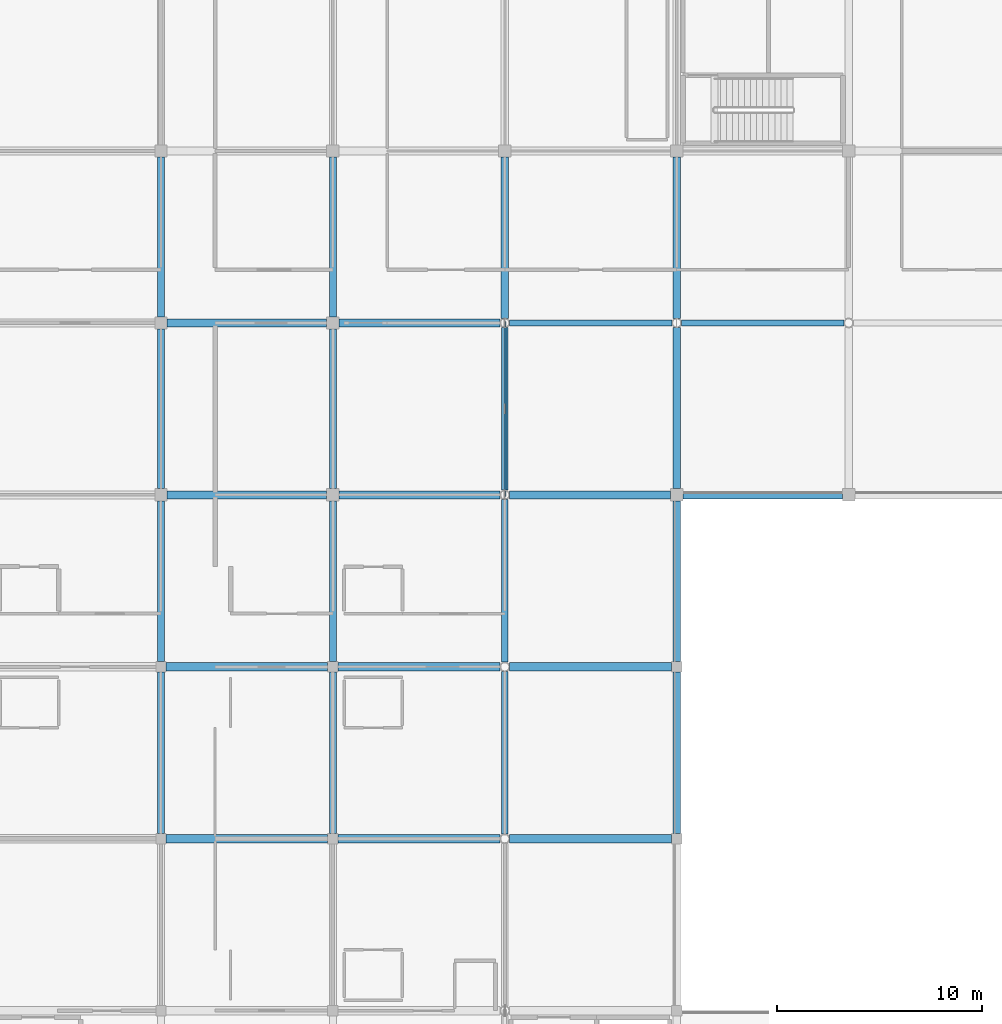
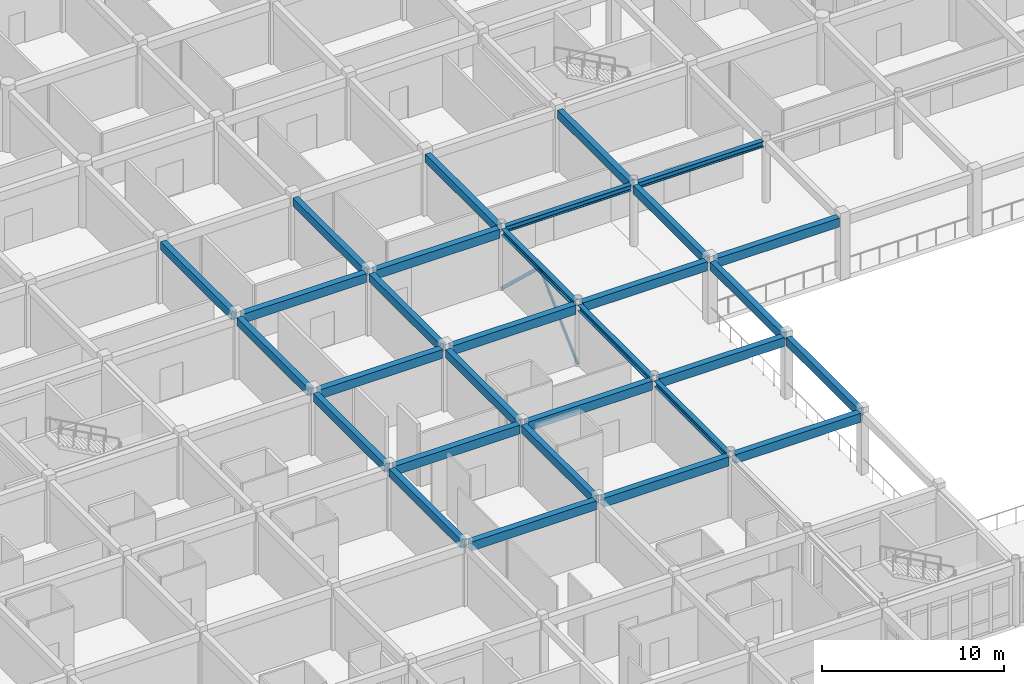
# One storey, part 20 of 144: 30 beams, 2 members.
"""IFC4 building model written with IfcOpenShell, lengths in metres."""

from ifc_helpers import new_model, si_unit, direction, frame, origin, origin_2d, place, context, subcontext, project, spatial, rectangle, hollow_rectangle, i_section, extrude, material, material_profile, profile_set, type_object, element, save


model = new_model("IFC4")

# Units and contexts
model_context = context("Model", 3, precision=1e-05, world=origin(), true_north=direction((0.0, 1.0)))
body_context = subcontext(model_context, "Body", "Model", "MODEL_VIEW")
ifc_project = project(units=[si_unit("LENGTHUNIT", "METRE"), si_unit("AREAUNIT", "SQUARE_METRE"), si_unit("VOLUMEUNIT", "CUBIC_METRE"), si_unit("PLANEANGLEUNIT", "RADIAN"), si_unit("MASSUNIT", "GRAM", prefix="KILO")], contexts=[model_context])

# Site, building, storey
site_placement = place(None, origin())
site = spatial("IfcSite", under=ifc_project, at=site_placement, CompositionType="ELEMENT")
building_placement = place(site_placement, origin())
building = spatial("IfcBuilding", under=site, at=building_placement, Name="Bramfleet General Hospital", CompositionType="ELEMENT")
storey_placement = place(building_placement, frame((0.0, 0.0, 4.800048828125)))
storey = spatial("IfcBuildingStorey", under=building, at=storey_placement, Name="L01", CompositionType="ELEMENT", Elevation=4.800048828125)

# Beams
ifc_material_1 = material(Name="Steel S355", Category="steel")
ifc_material_profile_1 = material_profile(ifc_material_1, i_section(OverallWidth=0.300048828125, OverallDepth=0.389892578125, WebThickness=0.010986328125, FlangeThickness=0.01904296875, FilletRadius=0.027099609375, at=origin_2d()), Name="HEA 400")
ifc_profile_set_1 = profile_set([ifc_material_profile_1], Name="Steel S355")
beam_type_1 = type_object("IfcBeamType", Name="BM-HEA400", PredefinedType="BEAM", material=ifc_profile_set_1)
beam_1_placement = place(storey_placement, frame((50.62841796875, 58.800048828125, 3.954833984375), z_axis=(1.0, 0.0, 0.0), x_axis=(0.0, 1.0, 0.0)))
element("IfcBeam", 1, at=beam_1_placement, inside=storey, type_object=beam_type_1, Name="L01 Grid Beam X 06-07", PredefinedType="BEAM", context=body_context, shape_type="SweptSolid", body=[
    extrude(i_section(OverallWidth=0.300048828125, OverallDepth=0.389892578125, WebThickness=0.010986328125, FlangeThickness=0.01904296875, FilletRadius=0.027099609375, at=origin_2d()), origin(), (0.0, 0.0, 1.0), 7.943115234375),
])
beam_2_placement = place(storey_placement, frame((59.028564453125, 58.800048828125, 3.954833984375), z_axis=(1.0, 0.0, 0.0), x_axis=(0.0, 1.0, 0.0)))
element("IfcBeam", 2, at=beam_2_placement, inside=storey, type_object=beam_type_1, Name="L01 Grid Beam X 07-07", PredefinedType="BEAM", context=body_context, shape_type="SweptSolid", body=[
    extrude(i_section(OverallWidth=0.300048828125, OverallDepth=0.389892578125, WebThickness=0.010986328125, FlangeThickness=0.01904296875, FilletRadius=0.027099609375, at=origin_2d()), origin(), (0.0, 0.0, 1.0), 7.94287109375),
])
ifc_material_profile_2 = material_profile(ifc_material_1, i_section(OverallWidth=0.300048828125, OverallDepth=0.39990234375, WebThickness=0.013427734375, FlangeThickness=0.02392578125, FilletRadius=0.027099609375, at=origin_2d()), Name="HEB 400")
ifc_profile_set_2 = profile_set([ifc_material_profile_2], Name="Steel S355")
beam_type_2 = type_object("IfcBeamType", Name="BM-HEB400", PredefinedType="BEAM", material=ifc_profile_set_2)
for number, where, z_axis, x_axis, name in (
    (3, (50.39990234375, 33.82861328125, 3.949951171875), (0.0, 1.0, 0.0), (-1.0, 0.0, 0.0), "L01 Grid Beam Y 06-04"),
    (4, (50.39990234375, 42.228515625, 3.949951171875), (0.0, 1.0, 0.0), (-1.0, 0.0, 0.0), "L01 Grid Beam Y 06-05"),
):
    element("IfcBeam", number, at=place(storey_placement, frame(where, z_axis=z_axis, x_axis=x_axis)), inside=storey, type_object=beam_type_2, Name=name, PredefinedType="BEAM", context=body_context, shape_type="SweptSolid", body=[
        extrude(i_section(OverallWidth=0.300048828125, OverallDepth=0.39990234375, WebThickness=0.013427734375, FlangeThickness=0.02392578125, FilletRadius=0.027099609375, at=origin_2d()), origin(), (0.0, 0.0, 1.0), 7.94287109375),
    ])
beam_3_placement = place(storey_placement, frame((50.39990234375, 50.62841796875, 3.949951171875), z_axis=(0.0, 1.0, 0.0), x_axis=(-1.0, 0.0, 0.0)))
element("IfcBeam", 5, at=beam_3_placement, inside=storey, type_object=beam_type_2, Name="L01 Grid Beam Y 06-06", PredefinedType="BEAM", context=body_context, shape_type="SweptSolid", body=[
    extrude(i_section(OverallWidth=0.300048828125, OverallDepth=0.39990234375, WebThickness=0.013427734375, FlangeThickness=0.02392578125, FilletRadius=0.027099609375, at=origin_2d()), origin(), (0.0, 0.0, 1.0), 7.943115234375),
])
ifc_material_2 = material(Name="Concrete C35/45", Category="concrete")
ifc_material_profile_3 = material_profile(ifc_material_2, rectangle(XDim=0.35009765625, YDim=0.550048828125, at=origin_2d()), Name="RC BM 550x350")
ifc_profile_set_3 = profile_set([ifc_material_profile_3], Name="Concrete C35/45")
beam_type_3 = type_object("IfcBeamType", Name="BM-RC550", PredefinedType="BEAM", material=ifc_profile_set_3)
beam_4_placement = place(storey_placement, frame((33.60009765625, 33.85009765625, 3.875), z_axis=(0.0, 1.0, 0.0), x_axis=(-1.0, 0.0, 0.0)))
element("IfcBeam", 6, at=beam_4_placement, inside=storey, type_object=beam_type_3, Name="L01 Grid Beam Y 04-04", PredefinedType="BEAM", context=body_context, shape_type="SweptSolid", body=[
    extrude(rectangle(XDim=0.35009765625, YDim=0.550048828125, at=origin_2d()), origin(), (0.0, 0.0, 1.0), 7.89990234375),
])
beam_5_placement = place(storey_placement, frame((33.60009765625, 42.25, 3.875), z_axis=(0.0, 1.0, 0.0), x_axis=(-1.0, 0.0, 0.0)))
element("IfcBeam", 7, at=beam_5_placement, inside=storey, type_object=beam_type_3, Name="L01 Grid Beam Y 04-05", PredefinedType="BEAM", context=body_context, shape_type="SweptSolid", body=[
    extrude(rectangle(XDim=0.35009765625, YDim=0.550048828125, at=origin_2d()), origin(), (0.0, 0.0, 1.0), 7.85009765625),
])
beam_6_placement = place(storey_placement, frame((33.60009765625, 50.699951171875, 3.875), z_axis=(0.0, 1.0, 0.0), x_axis=(-1.0, 0.0, 0.0)))
element("IfcBeam", 8, at=beam_6_placement, inside=storey, type_object=beam_type_3, Name="L01 Grid Beam Y 04-06", PredefinedType="BEAM", context=body_context, shape_type="SweptSolid", body=[
    extrude(rectangle(XDim=0.35009765625, YDim=0.550048828125, at=origin_2d()), origin(), (0.0, 0.0, 1.0), 7.800048828125),
])
beam_7_placement = place(storey_placement, frame((33.60009765625, 59.10009765625, 3.875), z_axis=(0.0, 1.0, 0.0), x_axis=(-1.0, 0.0, 0.0)))
element("IfcBeam", 9, at=beam_7_placement, inside=storey, type_object=beam_type_3, Name="L01 Grid Beam Y 04-07", PredefinedType="BEAM", context=body_context, shape_type="SweptSolid", body=[
    extrude(rectangle(XDim=0.35009765625, YDim=0.550048828125, at=origin_2d()), origin(), (0.0, 0.0, 1.0), 7.7998046875),
])
beam_8_placement = place(storey_placement, frame((42.0, 33.85009765625, 3.875), z_axis=(0.0, 1.0, 0.0), x_axis=(-1.0, 0.0, 0.0)))
element("IfcBeam", 10, at=beam_8_placement, inside=storey, type_object=beam_type_3, Name="L01 Grid Beam Y 05-04", PredefinedType="BEAM", context=body_context, shape_type="SweptSolid", body=[
    extrude(rectangle(XDim=0.35009765625, YDim=0.550048828125, at=origin_2d()), origin(), (0.0, 0.0, 1.0), 7.89990234375),
])
beam_9_placement = place(storey_placement, frame((42.0, 42.25, 3.875), z_axis=(0.0, 1.0, 0.0), x_axis=(-1.0, 0.0, 0.0)))
element("IfcBeam", 11, at=beam_9_placement, inside=storey, type_object=beam_type_3, Name="L01 Grid Beam Y 05-05", PredefinedType="BEAM", context=body_context, shape_type="SweptSolid", body=[
    extrude(rectangle(XDim=0.35009765625, YDim=0.550048828125, at=origin_2d()), origin(), (0.0, 0.0, 1.0), 7.85009765625),
])
beam_10_placement = place(storey_placement, frame((42.0, 50.699951171875, 3.875), z_axis=(0.0, 1.0, 0.0), x_axis=(-1.0, 0.0, 0.0)))
element("IfcBeam", 12, at=beam_10_placement, inside=storey, type_object=beam_type_3, Name="L01 Grid Beam Y 05-06", PredefinedType="BEAM", context=body_context, shape_type="SweptSolid", body=[
    extrude(rectangle(XDim=0.35009765625, YDim=0.550048828125, at=origin_2d()), origin(), (0.0, 0.0, 1.0), 7.800048828125),
])
beam_11_placement = place(storey_placement, frame((42.0, 59.10009765625, 3.875), z_axis=(0.0, 1.0, 0.0), x_axis=(-1.0, 0.0, 0.0)))
element("IfcBeam", 13, at=beam_11_placement, inside=storey, type_object=beam_type_3, Name="L01 Grid Beam Y 05-07", PredefinedType="BEAM", context=body_context, shape_type="SweptSolid", body=[
    extrude(rectangle(XDim=0.35009765625, YDim=0.550048828125, at=origin_2d()), origin(), (0.0, 0.0, 1.0), 7.7998046875),
])
beam_12_placement = place(storey_placement, frame((50.39990234375, 59.028564453125, 3.875), z_axis=(0.0, 1.0, 0.0), x_axis=(-1.0, 0.0, 0.0)))
element("IfcBeam", 14, at=beam_12_placement, inside=storey, type_object=beam_type_3, Name="L01 Grid Beam Y 06-07", PredefinedType="BEAM", context=body_context, shape_type="SweptSolid", body=[
    extrude(rectangle(XDim=0.35009765625, YDim=0.550048828125, at=origin_2d()), origin(), (0.0, 0.0, 1.0), 7.871337890625),
])
beam_13_placement = place(storey_placement, frame((58.800048828125, 33.85009765625, 3.875), z_axis=(0.0, 1.0, 0.0), x_axis=(-1.0, 0.0, 0.0)))
element("IfcBeam", 15, at=beam_13_placement, inside=storey, type_object=beam_type_3, Name="L01 Grid Beam Y 07-04", PredefinedType="BEAM", context=body_context, shape_type="SweptSolid", body=[
    extrude(rectangle(XDim=0.35009765625, YDim=0.550048828125, at=origin_2d()), origin(), (0.0, 0.0, 1.0), 7.89990234375),
])
beam_14_placement = place(storey_placement, frame((58.800048828125, 42.25, 3.875), z_axis=(0.0, 1.0, 0.0), x_axis=(-1.0, 0.0, 0.0)))
element("IfcBeam", 16, at=beam_14_placement, inside=storey, type_object=beam_type_3, Name="L01 Grid Beam Y 07-05", PredefinedType="BEAM", context=body_context, shape_type="SweptSolid", body=[
    extrude(rectangle(XDim=0.35009765625, YDim=0.550048828125, at=origin_2d()), origin(), (0.0, 0.0, 1.0), 7.85009765625),
])
beam_15_placement = place(storey_placement, frame((58.800048828125, 50.699951171875, 3.875), z_axis=(0.0, 1.0, 0.0), x_axis=(-1.0, 0.0, 0.0)))
element("IfcBeam", 17, at=beam_15_placement, inside=storey, type_object=beam_type_3, Name="L01 Grid Beam Y 07-06", PredefinedType="BEAM", context=body_context, shape_type="SweptSolid", body=[
    extrude(rectangle(XDim=0.35009765625, YDim=0.550048828125, at=origin_2d()), origin(), (0.0, 0.0, 1.0), 7.87158203125),
])
beam_16_placement = place(storey_placement, frame((58.800048828125, 59.028564453125, 3.875), z_axis=(0.0, 1.0, 0.0), x_axis=(-1.0, 0.0, 0.0)))
element("IfcBeam", 18, at=beam_16_placement, inside=storey, type_object=beam_type_3, Name="L01 Grid Beam Y 07-07", PredefinedType="BEAM", context=body_context, shape_type="SweptSolid", body=[
    extrude(rectangle(XDim=0.35009765625, YDim=0.550048828125, at=origin_2d()), origin(), (0.0, 0.0, 1.0), 7.871337890625),
])
ifc_material_profile_4 = material_profile(ifc_material_2, rectangle(XDim=0.39990234375, YDim=0.60009765625, at=origin_2d()), Name="RC BM 600x400")
ifc_profile_set_4 = profile_set([ifc_material_profile_4], Name="Concrete C35/45")
beam_type_4 = type_object("IfcBeamType", Name="BM-RC600", PredefinedType="BEAM", material=ifc_profile_set_4)
for number, where, z_axis, x_axis, name in (
    (19, (33.85009765625, 33.60009765625, 3.849853515625), (1.0, 0.0, 0.0), (0.0, 1.0, 0.0), "L01 Grid Beam X 04-04"),
    (20, (33.85009765625, 42.0, 3.849853515625), (1.0, 0.0, 0.0), (0.0, 1.0, 0.0), "L01 Grid Beam X 04-05"),
):
    element("IfcBeam", number, at=place(storey_placement, frame(where, z_axis=z_axis, x_axis=x_axis)), inside=storey, type_object=beam_type_4, Name=name, PredefinedType="BEAM", context=body_context, shape_type="SweptSolid", body=[
        extrude(rectangle(XDim=0.39990234375, YDim=0.60009765625, at=origin_2d()), origin(), (0.0, 0.0, 1.0), 7.89990234375),
    ])
for number, where, z_axis, x_axis, name in (
    (21, (33.89990234375, 50.39990234375, 3.849853515625), (1.0, 0.0, 0.0), (0.0, 1.0, 0.0), "L01 Grid Beam X 04-06"),
    (22, (33.89990234375, 58.800048828125, 3.849853515625), (1.0, 0.0, 0.0), (0.0, 1.0, 0.0), "L01 Grid Beam X 04-07"),
):
    element("IfcBeam", number, at=place(storey_placement, frame(where, z_axis=z_axis, x_axis=x_axis)), inside=storey, type_object=beam_type_4, Name=name, PredefinedType="BEAM", context=body_context, shape_type="SweptSolid", body=[
        extrude(rectangle(XDim=0.39990234375, YDim=0.60009765625, at=origin_2d()), origin(), (0.0, 0.0, 1.0), 7.800048828125),
    ])
for number, where, z_axis, x_axis, name in (
    (23, (42.25, 33.60009765625, 3.849853515625), (1.0, 0.0, 0.0), (0.0, 1.0, 0.0), "L01 Grid Beam X 05-04"),
    (24, (42.25, 42.0, 3.849853515625), (1.0, 0.0, 0.0), (0.0, 1.0, 0.0), "L01 Grid Beam X 05-05"),
):
    element("IfcBeam", number, at=place(storey_placement, frame(where, z_axis=z_axis, x_axis=x_axis)), inside=storey, type_object=beam_type_4, Name=name, PredefinedType="BEAM", context=body_context, shape_type="SweptSolid", body=[
        extrude(rectangle(XDim=0.39990234375, YDim=0.60009765625, at=origin_2d()), origin(), (0.0, 0.0, 1.0), 7.92138671875),
    ])
for number, where, z_axis, x_axis, name in (
    (25, (42.300048828125, 50.39990234375, 3.849853515625), (1.0, 0.0, 0.0), (0.0, 1.0, 0.0), "L01 Grid Beam X 05-06"),
    (26, (42.300048828125, 58.800048828125, 3.849853515625), (1.0, 0.0, 0.0), (0.0, 1.0, 0.0), "L01 Grid Beam X 05-07"),
):
    element("IfcBeam", number, at=place(storey_placement, frame(where, z_axis=z_axis, x_axis=x_axis)), inside=storey, type_object=beam_type_4, Name=name, PredefinedType="BEAM", context=body_context, shape_type="SweptSolid", body=[
        extrude(rectangle(XDim=0.39990234375, YDim=0.60009765625, at=origin_2d()), origin(), (0.0, 0.0, 1.0), 7.871337890625),
    ])
for number, where, z_axis, x_axis, name in (
    (27, (50.62841796875, 33.60009765625, 3.849853515625), (1.0, 0.0, 0.0), (0.0, 1.0, 0.0), "L01 Grid Beam X 06-04"),
    (28, (50.62841796875, 42.0, 3.849853515625), (1.0, 0.0, 0.0), (0.0, 1.0, 0.0), "L01 Grid Beam X 06-05"),
):
    element("IfcBeam", number, at=place(storey_placement, frame(where, z_axis=z_axis, x_axis=x_axis)), inside=storey, type_object=beam_type_4, Name=name, PredefinedType="BEAM", context=body_context, shape_type="SweptSolid", body=[
        extrude(rectangle(XDim=0.39990234375, YDim=0.60009765625, at=origin_2d()), origin(), (0.0, 0.0, 1.0), 7.921630859375),
    ])
beam_17_placement = place(storey_placement, frame((50.62841796875, 50.39990234375, 3.849853515625), z_axis=(1.0, 0.0, 0.0), x_axis=(0.0, 1.0, 0.0)))
element("IfcBeam", 29, at=beam_17_placement, inside=storey, type_object=beam_type_4, Name="L01 Grid Beam X 06-06", PredefinedType="BEAM", context=body_context, shape_type="SweptSolid", body=[
    extrude(rectangle(XDim=0.39990234375, YDim=0.60009765625, at=origin_2d()), origin(), (0.0, 0.0, 1.0), 7.87158203125),
])
beam_18_placement = place(storey_placement, frame((59.10009765625, 50.39990234375, 3.849853515625), z_axis=(1.0, 0.0, 0.0), x_axis=(0.0, 1.0, 0.0)))
element("IfcBeam", 30, at=beam_18_placement, inside=storey, type_object=beam_type_4, Name="L01 Grid Beam X 07-06", PredefinedType="BEAM", context=body_context, shape_type="SweptSolid", body=[
    extrude(rectangle(XDim=0.39990234375, YDim=0.60009765625, at=origin_2d()), origin(), (0.0, 0.0, 1.0), 7.7998046875),
])

# Members
ifc_material_profile_5 = material_profile(ifc_material_1, hollow_rectangle(XDim=0.10009765625, YDim=0.199951171875, WallThickness=0.008056640625, at=origin_2d()), Name="RHS 200x100x8.0")
ifc_profile_set_5 = profile_set([ifc_material_profile_5], Name="Steel S355")
member_type = type_object("IfcMemberType", Name="MEM-BR-RHS200", PredefinedType="STRUT", material=ifc_profile_set_5)
member_1_placement = place(storey_placement, frame((50.39990234375, 50.39990234375, -0.02001953125), z_axis=(0.0, 0.726743652834, 0.686908773467), x_axis=(-1.0, 0.0, 0.0)))
element("IfcMember", 31, at=member_1_placement, inside=storey, type_object=member_type, Name="L01 Chevron Brace 12A", PredefinedType="STRUT", context=body_context, shape_type="SweptSolid", body=[
    extrude(hollow_rectangle(XDim=0.10009765625, YDim=0.199951171875, WallThickness=0.008056640625, at=origin_2d()), origin(), (0.0, 0.0, 1.0), 5.779541015625),
])
member_2_placement = place(storey_placement, frame((50.39990234375, 58.800048828125, -0.02001953125), z_axis=(0.0, -0.726723719959, 0.686929861667), x_axis=(1.0, 0.0, 0.0)))
element("IfcMember", 32, at=member_2_placement, inside=storey, type_object=member_type, Name="L01 Chevron Brace 12B", PredefinedType="STRUT", context=body_context, shape_type="SweptSolid", body=[
    extrude(hollow_rectangle(XDim=0.10009765625, YDim=0.199951171875, WallThickness=0.008056640625, at=origin_2d()), origin(), (0.0, 0.0, 1.0), 5.779296875),
])

save(model, "model.ifc")
